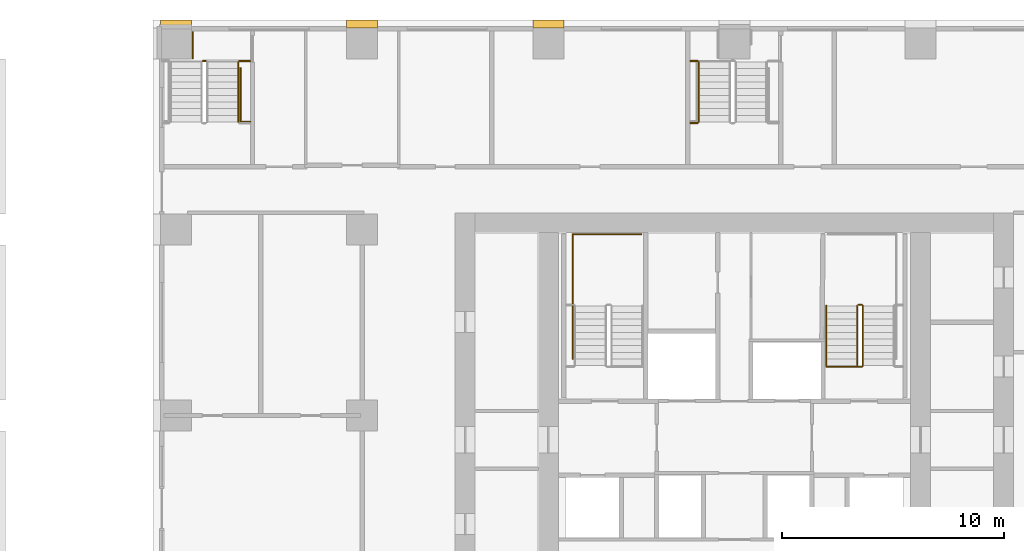
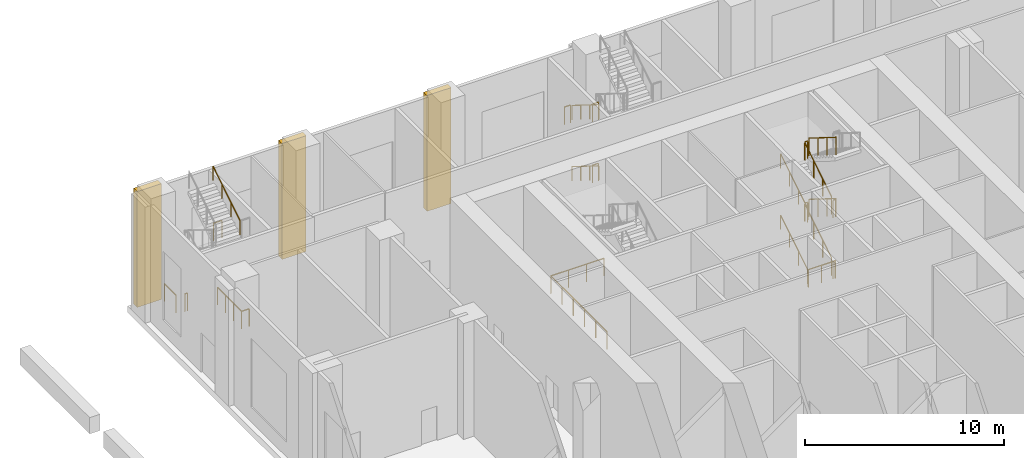
# One storey, part 23 of 29: 19 railings, 3 coverings.
"""IFC4 building model written with IfcOpenShell, lengths in metres."""

from ifc_helpers import new_model, si_unit, direction, frame, origin, origin_2d, place, context, subcontext, project, spatial, polyline, rectangle, outline, extrude, material, type_object, element, save


model = new_model("IFC4")

# Units and contexts
model_context = context("Model", 3, precision=1e-05, world=origin(), true_north=direction((0.0, 1.0)))
body_context = subcontext(model_context, "Body", "Model", "MODEL_VIEW")
ifc_project = project(units=[si_unit("LENGTHUNIT", "METRE"), si_unit("AREAUNIT", "SQUARE_METRE"), si_unit("VOLUMEUNIT", "CUBIC_METRE"), si_unit("PLANEANGLEUNIT", "RADIAN"), si_unit("MASSUNIT", "GRAM", prefix="KILO")], contexts=[model_context])

# Site, building, storey
site_placement = place(None, origin())
site = spatial("IfcSite", under=ifc_project, at=site_placement, CompositionType="ELEMENT")
building_placement = place(site_placement, origin())
building = spatial("IfcBuilding", under=site, at=building_placement, Name="Vermilion Ogive Tower", CompositionType="ELEMENT")
storey_placement = place(building_placement, frame((0.0, 0.0, 12.5)))
storey = spatial("IfcBuildingStorey", under=building, at=storey_placement, Name="L02", CompositionType="ELEMENT", Elevation=12.5)

# Railings
ifc_material_1 = material(Name="Steel S355 painted", Category="steel")
railing_type_1 = type_object("IfcRailingType", Name="Stair guard 1100", PredefinedType="GUARDRAIL", material=ifc_material_1)
railing_1_placement = place(storey_placement, frame((5.550048828125, 14.85009765625, 0.1875)))
element("IfcRailing", 1, at=railing_1_placement, inside=storey, type_object=railing_type_1, Name="L02 ST2 stair guard 1", PredefinedType="GUARDRAIL", context=body_context, shape_type="SweptSolid", body=[
    extrude(rectangle(XDim=0.048095703125, YDim=0.048095703125, at=origin_2d()), frame((0.0, 0.0, 1.076171875), z_axis=(0.0, 0.847993996163, 0.530005832488), x_axis=(-1.0, 0.0, 0.0)), (0.0, 0.0, 1.0), 3.183837890625),
    extrude(rectangle(XDim=0.048095703125, YDim=0.048095703125, at=origin_2d()), frame((0.0, 2.699951171875, 2.763671875), z_axis=(0.707106781187, 0.707106781187, 0.0), x_axis=(-0.707106781187, 0.707106781187, 0.0)), (0.0, 0.0, 1.0), 0.07080078125),
    extrude(rectangle(XDim=0.048095703125, YDim=0.048095703125, at=origin_2d()), frame((0.050048828125, 2.75, 2.763671875), z_axis=(1.0, 0.0, 0.0), x_axis=(0.0, 1.0, 0.0)), (0.0, 0.0, 1.0), 0.14990234375),
    extrude(rectangle(XDim=0.0419921875, YDim=0.0419921875, at=origin_2d()), origin(), (0.0, 0.0, 1.0), 1.052001953125),
    extrude(rectangle(XDim=0.0419921875, YDim=0.0419921875, at=origin_2d()), frame((0.0, 0.89990234375, 0.5625)), (0.0, 0.0, 1.0), 1.052001953125),
    extrude(rectangle(XDim=0.0419921875, YDim=0.0419921875, at=origin_2d()), frame((0.0, 1.800048828125, 1.125)), (0.0, 0.0, 1.0), 1.052001953125),
    extrude(rectangle(XDim=0.0419921875, YDim=0.0419921875, at=origin_2d()), frame((0.0, 2.699951171875, 1.6875)), (0.0, 0.0, 1.0), 1.052001953125),
    extrude(rectangle(XDim=0.0419921875, YDim=0.0419921875, at=origin_2d()), frame((0.050048828125, 2.75, 1.6875)), (0.0, 0.0, 1.0), 1.052001953125),
    extrude(rectangle(XDim=0.0419921875, YDim=0.0419921875, at=origin_2d()), frame((0.199951171875, 2.75, 1.6875)), (0.0, 0.0, 1.0), 1.052001953125),
])
railing_2_placement = place(storey_placement, frame((5.800048828125, 17.550048828125, 2.0625)))
element("IfcRailing", 2, at=railing_2_placement, inside=storey, type_object=railing_type_1, Name="L02 ST2 stair guard 3", PredefinedType="GUARDRAIL", context=body_context, shape_type="SweptSolid", body=[
    extrude(rectangle(XDim=0.048095703125, YDim=0.048095703125, at=origin_2d()), frame((0.0, 0.0, 1.076171875), z_axis=(0.0, -0.847993996163, 0.530005832488), x_axis=(1.0, 0.0, 0.0)), (0.0, 0.0, 1.0), 3.183837890625),
    extrude(rectangle(XDim=0.048095703125, YDim=0.048095703125, at=origin_2d()), frame((0.0, -2.699951171875, 2.763671875), z_axis=(-0.707106781187, -0.707106781187, 0.0), x_axis=(0.707106781187, -0.707106781187, 0.0)), (0.0, 0.0, 1.0), 0.07080078125),
    extrude(rectangle(XDim=0.048095703125, YDim=0.048095703125, at=origin_2d()), frame((-0.050048828125, -2.75, 2.763671875), z_axis=(-1.0, 0.0, 0.0), x_axis=(0.0, -1.0, 0.0)), (0.0, 0.0, 1.0), 0.14990234375),
    extrude(rectangle(XDim=0.0419921875, YDim=0.0419921875, at=origin_2d()), origin(), (0.0, 0.0, 1.0), 1.052001953125),
    extrude(rectangle(XDim=0.0419921875, YDim=0.0419921875, at=origin_2d()), frame((0.0, -0.89990234375, 0.5625)), (0.0, 0.0, 1.0), 1.052001953125),
    extrude(rectangle(XDim=0.0419921875, YDim=0.0419921875, at=origin_2d()), frame((0.0, -1.800048828125, 1.125)), (0.0, 0.0, 1.0), 1.052001953125),
    extrude(rectangle(XDim=0.0419921875, YDim=0.0419921875, at=origin_2d()), frame((0.0, -2.699951171875, 1.6875)), (0.0, 0.0, 1.0), 1.052001953125),
    extrude(rectangle(XDim=0.0419921875, YDim=0.0419921875, at=origin_2d()), frame((-0.050048828125, -2.75, 1.6875)), (0.0, 0.0, 1.0), 1.052001953125),
    extrude(rectangle(XDim=0.0419921875, YDim=0.0419921875, at=origin_2d()), frame((-0.199951171875, -2.75, 1.6875)), (0.0, 0.0, 1.0), 1.052001953125),
])
railing_3_placement = place(storey_placement, frame((5.550048828125, 14.85009765625, 3.9375)))
element("IfcRailing", 3, at=railing_3_placement, inside=storey, type_object=railing_type_1, Name="L02 ST2 stair guard 5", PredefinedType="GUARDRAIL", context=body_context, shape_type="SweptSolid", body=[
    extrude(rectangle(XDim=0.048095703125, YDim=0.048095703125, at=origin_2d()), frame((0.0, 0.0, 1.076171875), z_axis=(0.0, 0.847993996163, 0.530005832488), x_axis=(-1.0, 0.0, 0.0)), (0.0, 0.0, 1.0), 3.183837890625),
    extrude(rectangle(XDim=0.048095703125, YDim=0.048095703125, at=origin_2d()), frame((0.0, 2.699951171875, 2.763671875), z_axis=(0.707106781187, 0.707106781187, 0.0), x_axis=(-0.707106781187, 0.707106781187, 0.0)), (0.0, 0.0, 1.0), 0.07080078125),
    extrude(rectangle(XDim=0.048095703125, YDim=0.048095703125, at=origin_2d()), frame((0.050048828125, 2.75, 2.763671875), z_axis=(1.0, 0.0, 0.0), x_axis=(0.0, 1.0, 0.0)), (0.0, 0.0, 1.0), 0.14990234375),
    extrude(rectangle(XDim=0.0419921875, YDim=0.0419921875, at=origin_2d()), origin(), (0.0, 0.0, 1.0), 1.052001953125),
    extrude(rectangle(XDim=0.0419921875, YDim=0.0419921875, at=origin_2d()), frame((0.0, 0.89990234375, 0.5625)), (0.0, 0.0, 1.0), 1.052001953125),
    extrude(rectangle(XDim=0.0419921875, YDim=0.0419921875, at=origin_2d()), frame((0.0, 1.800048828125, 1.125)), (0.0, 0.0, 1.0), 1.052001953125),
    extrude(rectangle(XDim=0.0419921875, YDim=0.0419921875, at=origin_2d()), frame((0.0, 2.699951171875, 1.6875)), (0.0, 0.0, 1.0), 1.052001953125),
    extrude(rectangle(XDim=0.0419921875, YDim=0.0419921875, at=origin_2d()), frame((0.050048828125, 2.75, 1.6875)), (0.0, 0.0, 1.0), 1.052001953125),
    extrude(rectangle(XDim=0.0419921875, YDim=0.0419921875, at=origin_2d()), frame((0.199951171875, 2.75, 1.6875)), (0.0, 0.0, 1.0), 1.052001953125),
])
railing_4_placement = place(storey_placement, frame((5.800048828125, 17.550048828125, 5.8125)))
element("IfcRailing", 4, at=railing_4_placement, inside=storey, type_object=railing_type_1, Name="L02 ST2 stair guard 7", PredefinedType="GUARDRAIL", context=body_context, shape_type="SweptSolid", body=[
    extrude(rectangle(XDim=0.048095703125, YDim=0.048095703125, at=origin_2d()), frame((0.0, 0.0, 1.076171875), z_axis=(0.0, -0.847993996163, 0.530005832488), x_axis=(1.0, 0.0, 0.0)), (0.0, 0.0, 1.0), 3.183837890625),
    extrude(rectangle(XDim=0.0419921875, YDim=0.0419921875, at=origin_2d()), origin(), (0.0, 0.0, 1.0), 1.052001953125),
    extrude(rectangle(XDim=0.0419921875, YDim=0.0419921875, at=origin_2d()), frame((0.0, -0.89990234375, 0.5625)), (0.0, 0.0, 1.0), 1.052001953125),
    extrude(rectangle(XDim=0.0419921875, YDim=0.0419921875, at=origin_2d()), frame((0.0, -1.800048828125, 1.125)), (0.0, 0.0, 1.0), 1.052001953125),
    extrude(rectangle(XDim=0.0419921875, YDim=0.0419921875, at=origin_2d()), frame((0.0, -2.699951171875, 1.6875)), (0.0, 0.0, 1.0), 1.052001953125),
])
for number, where, name in (
    (5, (5.60009765625, 14.800048828125, 0.0), "L02 ST2 stair guard 8"),
    (6, (-24.0, 28.60009765625, 0.0), "L02 PS1 stair guard 8"),
):
    element("IfcRailing", number, at=place(storey_placement, frame(where)), inside=storey, type_object=railing_type_1, Name=name, PredefinedType="GUARDRAIL", context=body_context, shape_type="SweptSolid", body=[
        extrude(rectangle(XDim=0.048095703125, YDim=0.048095703125, at=origin_2d()), frame((0.0, 0.0, 1.076171875), z_axis=(1.0, 0.0, 0.0), x_axis=(0.0, 1.0, 0.0)), (0.0, 0.0, 1.0), 0.14990234375),
        extrude(rectangle(XDim=0.0419921875, YDim=0.0419921875, at=origin_2d()), origin(), (0.0, 0.0, 1.0), 1.052001953125),
        extrude(rectangle(XDim=0.0419921875, YDim=0.0419921875, at=origin_2d()), frame((0.14990234375, 0.0, 0.0)), (0.0, 0.0, 1.0), 1.052001953125),
    ])
railing_5_placement = place(storey_placement, frame((-22.35009765625, 28.60009765625, 3.75)))
element("IfcRailing", 7, at=railing_5_placement, inside=storey, type_object=railing_type_1, Name="L02 landing guard", PredefinedType="GUARDRAIL", context=body_context, shape_type="SweptSolid", body=[
    extrude(rectangle(XDim=0.048095703125, YDim=0.048095703125, at=origin_2d()), frame((0.0, 0.0, 1.076171875), z_axis=(1.0, 0.0, 0.0), x_axis=(0.0, 1.0, 0.0)), (0.0, 0.0, 1.0), 0.5),
    extrude(rectangle(XDim=0.0419921875, YDim=0.0419921875, at=origin_2d()), origin(), (0.0, 0.0, 1.0), 1.052001953125),
    extrude(rectangle(XDim=0.0419921875, YDim=0.0419921875, at=origin_2d()), frame((0.5, 0.0, 0.0)), (0.0, 0.0, 1.0), 1.052001953125),
])
for number, where, name in (
    (8, (-2.0, 25.800048828125, 1.875), "L02 landing guard"),
    (9, (-2.0, 28.60009765625, 3.75), "L02 landing guard"),
    (10, (-2.0, 25.800048828125, 5.625), "L02 landing guard"),
):
    element("IfcRailing", number, at=place(storey_placement, frame(where)), inside=storey, type_object=railing_type_1, Name=name, PredefinedType="GUARDRAIL", context=body_context, shape_type="SweptSolid", body=[
        extrude(rectangle(XDim=0.048095703125, YDim=0.048095703125, at=origin_2d()), frame((0.0, 0.0, 1.076171875), z_axis=(1.0, 0.0, 0.0), x_axis=(0.0, 1.0, 0.0)), (0.0, 0.0, 1.0), 0.35009765625),
        extrude(rectangle(XDim=0.0419921875, YDim=0.0419921875, at=origin_2d()), origin(), (0.0, 0.0, 1.0), 1.052001953125),
        extrude(rectangle(XDim=0.0419921875, YDim=0.0419921875, at=origin_2d()), frame((0.35009765625, 0.0, 0.0)), (0.0, 0.0, 1.0), 1.052001953125),
    ])
railing_6_placement = place(storey_placement, frame((-4.212646484375, 20.77880859375, 0.0)))
element("IfcRailing", 11, at=railing_6_placement, inside=storey, type_object=railing_type_1, Name="L02 stair opening guard", PredefinedType="GUARDRAIL", context=body_context, shape_type="SweptSolid", body=[
    extrude(rectangle(XDim=0.048095703125, YDim=0.048095703125, at=origin_2d()), frame((0.0, 0.0, 1.076171875), z_axis=(-1.0, 0.0, 0.0), x_axis=(0.0, -1.0, 0.0)), (0.0, 0.0, 1.0), 3.08984375),
    extrude(rectangle(XDim=0.048095703125, YDim=0.048095703125, at=origin_2d()), frame((-3.08984375, 0.0, 1.076171875), z_axis=(0.0, -1.0, 0.0), x_axis=(1.0, 0.0, 0.0)), (0.0, 0.0, 1.0), 5.624267578125),
    extrude(rectangle(XDim=0.0419921875, YDim=0.0419921875, at=origin_2d()), origin(), (0.0, 0.0, 1.0), 1.052001953125),
    extrude(rectangle(XDim=0.0419921875, YDim=0.0419921875, at=origin_2d()), frame((-1.030029296875, 0.0, 0.0)), (0.0, 0.0, 1.0), 1.052001953125),
    extrude(rectangle(XDim=0.0419921875, YDim=0.0419921875, at=origin_2d()), frame((-2.059814453125, 0.0, 0.0)), (0.0, 0.0, 1.0), 1.052001953125),
    extrude(rectangle(XDim=0.0419921875, YDim=0.0419921875, at=origin_2d()), frame((-3.08984375, 0.0, 0.0)), (0.0, 0.0, 1.0), 1.052001953125),
    extrude(rectangle(XDim=0.0419921875, YDim=0.0419921875, at=origin_2d()), frame((-3.08984375, -1.124755859375, 0.0)), (0.0, 0.0, 1.0), 1.052001953125),
    extrude(rectangle(XDim=0.0419921875, YDim=0.0419921875, at=origin_2d()), frame((-3.08984375, -2.249755859375, 0.0)), (0.0, 0.0, 1.0), 1.052001953125),
    extrude(rectangle(XDim=0.0419921875, YDim=0.0419921875, at=origin_2d()), frame((-3.08984375, -3.37451171875, 0.0)), (0.0, 0.0, 1.0), 1.052001953125),
    extrude(rectangle(XDim=0.0419921875, YDim=0.0419921875, at=origin_2d()), frame((-3.08984375, -4.49951171875, 0.0)), (0.0, 0.0, 1.0), 1.052001953125),
    extrude(rectangle(XDim=0.0419921875, YDim=0.0419921875, at=origin_2d()), frame((-3.08984375, -5.624267578125, 0.0)), (0.0, 0.0, 1.0), 1.052001953125),
])
railing_7_placement = place(storey_placement, frame((4.159912109375, 14.7900390625, 0.0)))
element("IfcRailing", 12, at=railing_7_placement, inside=storey, type_object=railing_type_1, Name="L02 stair opening guard", PredefinedType="GUARDRAIL", context=body_context, shape_type="SweptSolid", body=[
    extrude(rectangle(XDim=0.048095703125, YDim=0.048095703125, at=origin_2d()), frame((0.0, 0.0, 1.076171875), z_axis=(1.0, 0.0, 0.0), x_axis=(0.0, 1.0, 0.0)), (0.0, 0.0, 1.0), 1.5400390625),
    extrude(rectangle(XDim=0.0419921875, YDim=0.0419921875, at=origin_2d()), origin(), (0.0, 0.0, 1.0), 1.052001953125),
    extrude(rectangle(XDim=0.0419921875, YDim=0.0419921875, at=origin_2d()), frame((0.77001953125, 0.0, 0.0)), (0.0, 0.0, 1.0), 1.052001953125),
    extrude(rectangle(XDim=0.0419921875, YDim=0.0419921875, at=origin_2d()), frame((1.5400390625, 0.0, 0.0)), (0.0, 0.0, 1.0), 1.052001953125),
])
railing_8_placement = place(storey_placement, frame((-22.291015625, 28.284912109375, 0.0)))
element("IfcRailing", 13, at=railing_8_placement, inside=storey, type_object=railing_type_1, Name="L02 stair opening guard", PredefinedType="GUARDRAIL", context=body_context, shape_type="SweptSolid", body=[
    extrude(rectangle(XDim=0.048095703125, YDim=0.048095703125, at=origin_2d()), frame((0.0, 0.0, 1.076171875), z_axis=(0.0, -1.0, 0.0), x_axis=(1.0, 0.0, 0.0)), (0.0, 0.0, 1.0), 2.42431640625),
    extrude(rectangle(XDim=0.048095703125, YDim=0.048095703125, at=origin_2d()), frame((0.0, -2.42431640625, 1.076171875), z_axis=(1.0, 0.0, 0.0), x_axis=(0.0, 1.0, 0.0)), (0.0, 0.0, 1.0), 0.43994140625),
    extrude(rectangle(XDim=0.0419921875, YDim=0.0419921875, at=origin_2d()), origin(), (0.0, 0.0, 1.0), 1.052001953125),
    extrude(rectangle(XDim=0.0419921875, YDim=0.0419921875, at=origin_2d()), frame((0.0, -0.80810546875, 0.0)), (0.0, 0.0, 1.0), 1.052001953125),
    extrude(rectangle(XDim=0.0419921875, YDim=0.0419921875, at=origin_2d()), frame((0.0, -1.6162109375, 0.0)), (0.0, 0.0, 1.0), 1.052001953125),
    extrude(rectangle(XDim=0.0419921875, YDim=0.0419921875, at=origin_2d()), frame((0.0, -2.42431640625, 0.0)), (0.0, 0.0, 1.0), 1.052001953125),
    extrude(rectangle(XDim=0.0419921875, YDim=0.0419921875, at=origin_2d()), frame((0.43994140625, -2.42431640625, 0.0)), (0.0, 0.0, 1.0), 1.052001953125),
])
railing_9_placement = place(storey_placement, frame((-24.43994140625, 28.733154296875, 0.0)))
element("IfcRailing", 14, at=railing_9_placement, inside=storey, type_object=railing_type_1, Name="L02 stair opening guard", PredefinedType="GUARDRAIL", context=body_context, shape_type="SweptSolid", body=[
    extrude(rectangle(XDim=0.048095703125, YDim=0.048095703125, at=origin_2d()), frame((0.0, 0.0, 1.076171875), z_axis=(0.0, 1.0, 0.0), x_axis=(-1.0, 0.0, 0.0)), (0.0, 0.0, 1.0), 1.15673828125),
    extrude(rectangle(XDim=0.0419921875, YDim=0.0419921875, at=origin_2d()), origin(), (0.0, 0.0, 1.0), 1.052001953125),
    extrude(rectangle(XDim=0.0419921875, YDim=0.0419921875, at=origin_2d()), frame((0.0, 1.15673828125, 0.0)), (0.0, 0.0, 1.0), 1.052001953125),
])
ifc_material_2 = material(Name="Stainless steel", Category="steel")
railing_type_2 = type_object("IfcRailingType", Name="Stair handrail 900", PredefinedType="HANDRAIL", material=ifc_material_2)
for number, where, name in (
    (15, (4.14990234375, 14.85009765625, 0.1875), "L02 ST2 stair handrail 1"),
    (16, (4.14990234375, 14.85009765625, 3.9375), "L02 ST2 stair handrail 3"),
    (17, (-22.39990234375, 25.85009765625, 5.8125), "L02 PS1 stair handrail 4"),
):
    element("IfcRailing", number, at=place(storey_placement, frame(where)), inside=storey, type_object=railing_type_2, Name=name, PredefinedType="HANDRAIL", context=body_context, shape_type="SweptSolid", body=[
        extrude(rectangle(XDim=0.048095703125, YDim=0.048095703125, at=origin_2d()), frame((0.0, 0.0, 0.8759765625), z_axis=(0.0, 0.847993996163, 0.530005832488), x_axis=(-1.0, 0.0, 0.0)), (0.0, 0.0, 1.0), 3.183837890625),
        extrude(rectangle(XDim=0.0419921875, YDim=0.0419921875, at=origin_2d()), origin(), (0.0, 0.0, 1.0), 0.851806640625),
        extrude(rectangle(XDim=0.0419921875, YDim=0.0419921875, at=origin_2d()), frame((0.0, 0.89990234375, 0.5625)), (0.0, 0.0, 1.0), 0.851806640625),
        extrude(rectangle(XDim=0.0419921875, YDim=0.0419921875, at=origin_2d()), frame((0.0, 1.800048828125, 1.125)), (0.0, 0.0, 1.0), 0.851806640625),
        extrude(rectangle(XDim=0.0419921875, YDim=0.0419921875, at=origin_2d()), frame((0.0, 2.699951171875, 1.6875)), (0.0, 0.0, 1.0), 0.851806640625),
    ])
for number, where, name in (
    (18, (-1.60009765625, 28.550048828125, 0.1875), "L02 PS5 stair handrail 1"),
    (19, (-1.60009765625, 28.550048828125, 3.9375), "L02 PS5 stair handrail 3"),
):
    element("IfcRailing", number, at=place(storey_placement, frame(where)), inside=storey, type_object=railing_type_2, Name=name, PredefinedType="HANDRAIL", context=body_context, shape_type="SweptSolid", body=[
        extrude(rectangle(XDim=0.048095703125, YDim=0.048095703125, at=origin_2d()), frame((0.0, 0.0, 0.8759765625), z_axis=(0.0, -0.847993996163, 0.530005832488), x_axis=(1.0, 0.0, 0.0)), (0.0, 0.0, 1.0), 3.183837890625),
        extrude(rectangle(XDim=0.0419921875, YDim=0.0419921875, at=origin_2d()), origin(), (0.0, 0.0, 1.0), 0.851806640625),
        extrude(rectangle(XDim=0.0419921875, YDim=0.0419921875, at=origin_2d()), frame((0.0, -0.89990234375, 0.5625)), (0.0, 0.0, 1.0), 0.851806640625),
        extrude(rectangle(XDim=0.0419921875, YDim=0.0419921875, at=origin_2d()), frame((0.0, -1.800048828125, 1.125)), (0.0, 0.0, 1.0), 0.851806640625),
        extrude(rectangle(XDim=0.0419921875, YDim=0.0419921875, at=origin_2d()), frame((0.0, -2.699951171875, 1.6875)), (0.0, 0.0, 1.0), 0.851806640625),
    ])

# Coverings
ifc_material_3 = material(Name="Stone cladding", Category="masonry")
covering_type = type_object("IfcCoveringType", Name="Stone pier", PredefinedType="CLADDING", material=ifc_material_3)
covering_1_placement = place(storey_placement, origin())
element("IfcCovering", 20, at=covering_1_placement, inside=storey, type_object=covering_type, Name="Stone pier P-084+294", PredefinedType="CLADDING", context=body_context, shape_type="SweptSolid", body=[
    extrude(outline(polyline([(-9.10009765625, 30.10009765625), (-9.10009765625, 30.10009765625), (-9.10009765625, 30.449951171875), (-7.699951171875, 30.449951171875), (-7.699951171875, 30.10009765625), (-7.699951171875, 30.10009765625), (-9.10009765625, 30.10009765625)])), origin(), (0.0, 0.0, 1.0), 7.10009765625),
])
covering_2_placement = place(storey_placement, origin())
element("IfcCovering", 21, at=covering_2_placement, inside=storey, type_object=covering_type, Name="Stone pier P-168+294", PredefinedType="CLADDING", context=body_context, shape_type="SweptSolid", body=[
    extrude(outline(polyline([(-17.5, 30.10009765625), (-17.5, 30.449951171875), (-16.10009765625, 30.449951171875), (-16.10009765625, 30.10009765625), (-17.5, 30.10009765625), (-17.5, 30.10009765625)])), origin(), (0.0, 0.0, 1.0), 7.10009765625),
])
covering_3_placement = place(storey_placement, origin())
element("IfcCovering", 22, at=covering_3_placement, inside=storey, type_object=covering_type, Name="Stone pier P-252+294N", PredefinedType="CLADDING", context=body_context, shape_type="SweptSolid", body=[
    extrude(outline(polyline([(-25.89990234375, 30.10009765625), (-25.89990234375, 30.449951171875), (-24.5, 30.449951171875), (-24.5, 30.10009765625), (-24.5, 30.10009765625), (-25.89990234375, 30.10009765625)])), origin(), (0.0, 0.0, 1.0), 7.10009765625),
])

save(model, "model.ifc")
